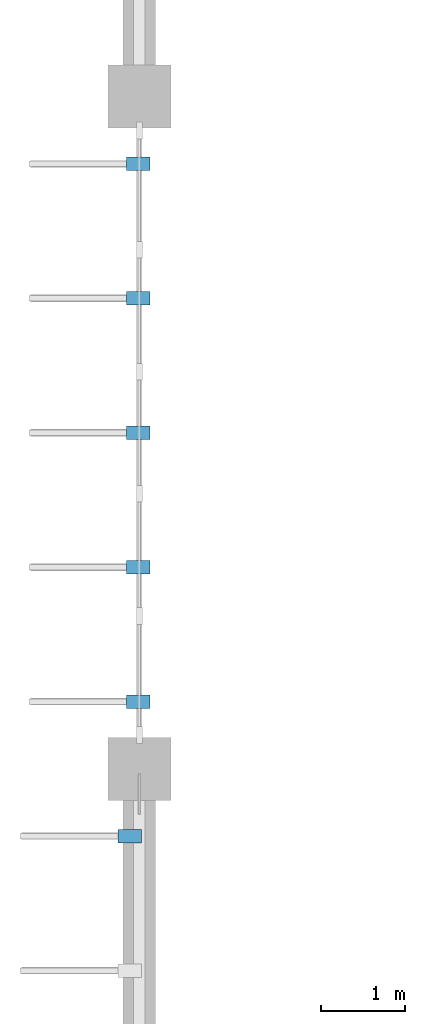
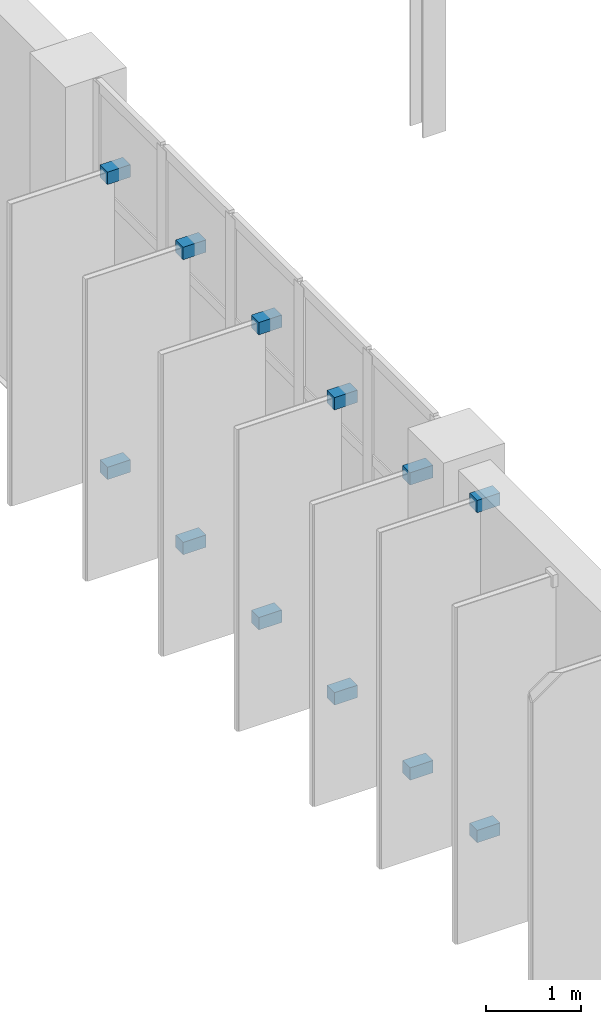
# One storey, part 80 of 93: 12 discrete accessories.
"""IFC4 building model written with IfcOpenShell, lengths in metres."""

from ifc_helpers import new_model, si_unit, direction, frame, origin, origin_2d, place, context, subcontext, project, spatial, rectangle, extrude, material, type_object, element, save


model = new_model("IFC4")

# Units and contexts
model_context = context("Model", 3, precision=1e-05, world=origin(), true_north=direction((0.0, 1.0)))
body_context = subcontext(model_context, "Body", "Model", "MODEL_VIEW")
ifc_project = project(units=[si_unit("LENGTHUNIT", "METRE"), si_unit("AREAUNIT", "SQUARE_METRE"), si_unit("VOLUMEUNIT", "CUBIC_METRE"), si_unit("PLANEANGLEUNIT", "RADIAN"), si_unit("MASSUNIT", "GRAM", prefix="KILO")], contexts=[model_context])

# Site, building, storey
site_placement = place(None, origin())
site = spatial("IfcSite", under=ifc_project, at=site_placement, CompositionType="ELEMENT")
building_placement = place(site_placement, origin())
building = spatial("IfcBuilding", under=site, at=building_placement, Name="Drelvana Railside Aquatics Centre", CompositionType="ELEMENT")
storey_placement = place(building_placement, frame((0.0, 0.0, 5.39990234375)))
storey = spatial("IfcBuildingStorey", under=building, at=storey_placement, Name="L01", CompositionType="ELEMENT", Elevation=5.39990234375)

# Discrete accessories
ifc_material = material(Name="Stainless steel 316 facade bracket", Category="steel")
discrete_accessory_type = type_object("IfcDiscreteAccessoryType", Name="ACC-BRACKET-FIN", PredefinedType="BRACKET", material=ifc_material)
for number, where, z_axis, x_axis, name in (
    (1, (-0.114990234375, 55.199951171875, 0.1650390625), (0.0, 0.0, 1.0), (-1.0, 0.0, 0.0), "Shading fin bracket BK-0481"),
    (2, (-0.114990234375, 55.199951171875, 4.42529296875), (0.0, 0.0, 1.0), (-1.0, 0.0, 0.0), "Shading fin bracket BK-0482"),
    (3, (-0.010009765625, 56.800048828125, -0.03466796875), (0.0, 0.0, 1.0), (-1.0, 0.0, 0.0), "Shading fin bracket BK-0513"),
    (4, (-0.010009765625, 56.800048828125, 3.77490234375), (0.0, 0.0, 1.0), (-1.0, 0.0, 0.0), "Shading fin bracket BK-0514"),
    (5, (-0.010009765625, 58.39990234375, -0.03466796875), (0.0, 0.0, 1.0), (-1.0, 0.0, 0.0), "Shading fin bracket BK-0515"),
    (6, (-0.010009765625, 58.39990234375, 3.77490234375), (0.0, 0.0, 1.0), (-1.0, 0.0, 0.0), "Shading fin bracket BK-0516"),
    (7, (-0.010009765625, 60.0, -0.03466796875), (0.0, 0.0, 1.0), (-1.0, 0.0, 0.0), "Shading fin bracket BK-0517"),
    (8, (-0.010009765625, 60.0, 3.77490234375), (0.0, 0.0, 1.0), (-1.0, 0.0, 0.0), "Shading fin bracket BK-0518"),
    (9, (-0.010009765625, 61.60009765625, -0.03466796875), (0.0, 0.0, 1.0), (-1.0, 0.0, 0.0), "Shading fin bracket BK-0519"),
    (10, (-0.010009765625, 61.60009765625, 3.77490234375), (0.0, 0.0, 1.0), (-1.0, 0.0, 0.0), "Shading fin bracket BK-0520"),
    (11, (-0.010009765625, 63.199951171875, -0.03466796875), (0.0, 0.0, 1.0), (-1.0, 0.0, 0.0), "Shading fin bracket BK-0521"),
    (12, (-0.010009765625, 63.199951171875, 3.77490234375), (0.0, 0.0, 1.0), (-1.0, 0.0, 0.0), "Shading fin bracket BK-0522"),
):
    element("IfcDiscreteAccessory", number, at=place(storey_placement, frame(where, z_axis=z_axis, x_axis=x_axis)), inside=storey, type_object=discrete_accessory_type, Name=name, PredefinedType="BRACKET", context=body_context, shape_type="SweptSolid", body=[
        extrude(rectangle(XDim=0.280029296875, YDim=0.159912109375, at=origin_2d()), origin(), (0.0, 0.0, 1.0), 0.159912109375),
    ])

save(model, "model.ifc")
